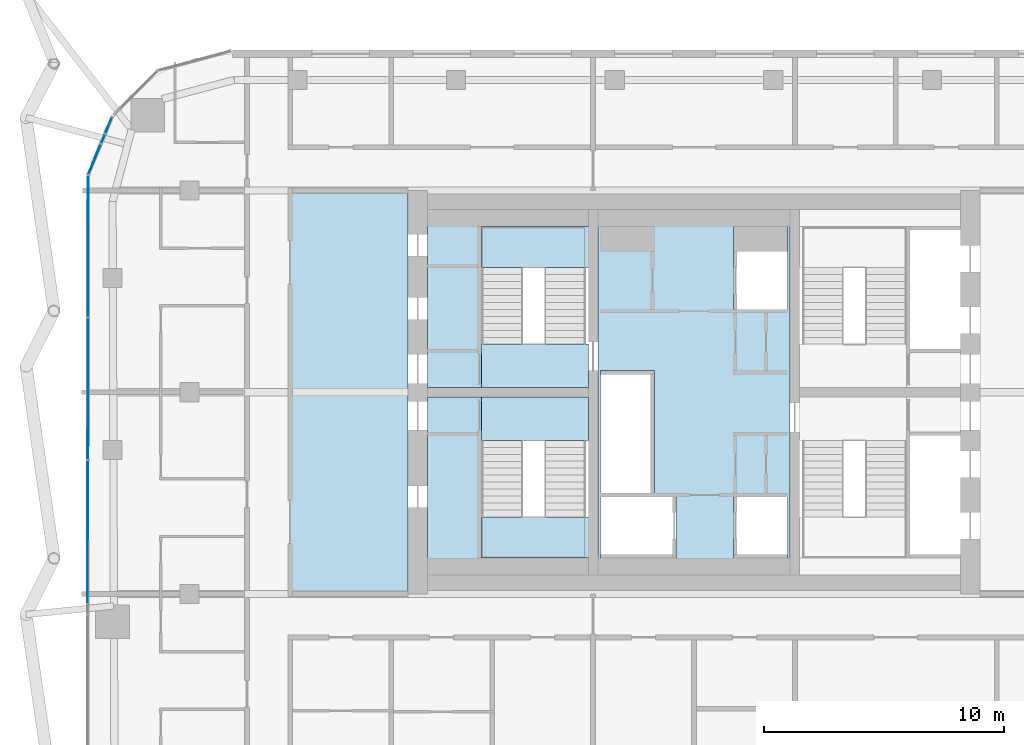
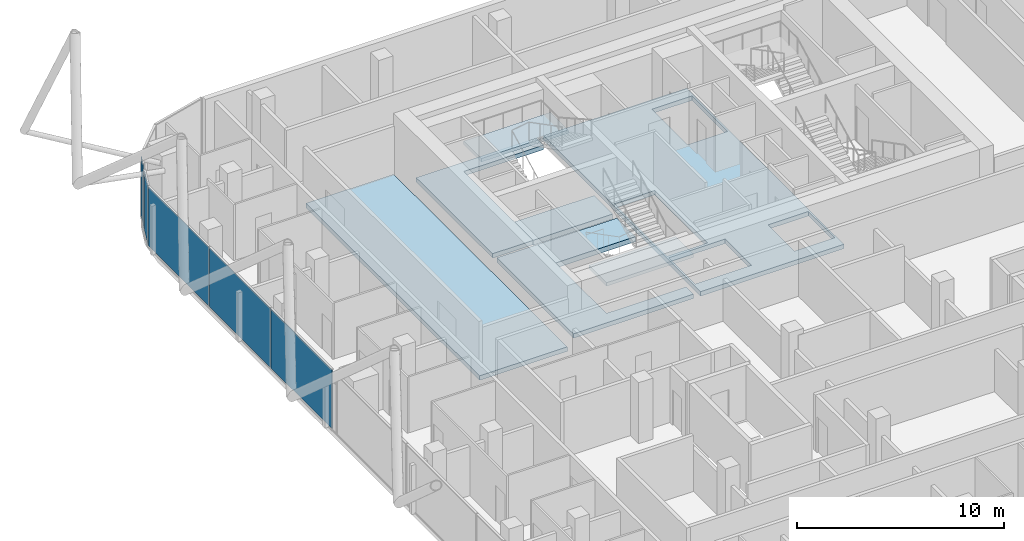
# One storey, part 21 of 33: 8 slabs, 6 plates, 6 elements without a shape of their own.
"""IFC4 building model written with IfcOpenShell, lengths in metres."""

from ifc_helpers import new_model, si_unit, direction, frame, origin, origin_2d, place, context, subcontext, project, spatial, polyline, rectangle, outline, extrude, material, layer, layer_set, type_object, element, aggregate, save


model = new_model("IFC4")

# Units and contexts
model_context = context("Model", 3, precision=1e-05, world=origin(), true_north=direction((0.0, 1.0)))
body_context = subcontext(model_context, "Body", "Model", "MODEL_VIEW")
ifc_project = project(units=[si_unit("LENGTHUNIT", "METRE"), si_unit("AREAUNIT", "SQUARE_METRE"), si_unit("VOLUMEUNIT", "CUBIC_METRE"), si_unit("PLANEANGLEUNIT", "RADIAN"), si_unit("MASSUNIT", "GRAM", prefix="KILO")], contexts=[model_context])

# Site, building, storey
site_placement = place(None, origin())
site = spatial("IfcSite", under=ifc_project, at=site_placement, CompositionType="ELEMENT")
building_placement = place(site_placement, origin())
building = spatial("IfcBuilding", under=site, at=building_placement, Name="Marenta Gate Hotel Tower", CompositionType="ELEMENT")
storey_placement = place(building_placement, frame((0.0, 0.0, 248.89990234375)))
storey = spatial("IfcBuildingStorey", under=building, at=storey_placement, Name="L59", CompositionType="ELEMENT", Elevation=248.89990234375)

# Slabs
ifc_material_1 = material(Name="Concrete C40", Category="concrete")
ifc_layer_1 = layer(ifc_material_1, 0.260009765625)
ifc_layer_set_1 = layer_set([ifc_layer_1], Name="Concrete C40")
slab_type_1 = type_object("IfcSlabType", Name="Core floor slab 260", PredefinedType="FLOOR", material=ifc_layer_set_1)
slab_1_placement = place(storey_placement, frame((0.0, 0.0, -0.260009765625)))
element("IfcSlab", 1, at=slab_1_placement, inside=storey, type_object=slab_type_1, Name="L59-CF-4", PredefinedType="FLOOR", context=body_context, shape_type="SweptSolid", body=[
    extrude(outline(polyline([(4.0, 15.300048828125), (4.0, 10.39990234375), (4.0, 6.39990234375), (4.0, 1.5), (4.0, 0.800048828125), (-4.0, 0.800048828125), (-4.0, 1.5), (-4.0, 6.39990234375), (-4.0, 10.39990234375), (-4.0, 15.300048828125), (-4.0, 16.0), (4.0, 16.0), (4.0, 15.300048828125)]), holes=[polyline([(1.64990234375, 14.25), (1.64990234375, 11.85009765625), (1.800048828125, 11.85009765625), (3.89990234375, 11.85009765625), (3.89990234375, 14.25), (3.89990234375, 15.300048828125), (1.64990234375, 15.300048828125), (1.64990234375, 14.25)]), polyline([(3.89990234375, 1.64990234375), (3.89990234375, 4.050048828125), (1.800048828125, 4.050048828125), (1.64990234375, 4.050048828125), (1.64990234375, 1.64990234375), (1.64990234375, 1.5), (3.89990234375, 1.5), (3.89990234375, 1.64990234375)]), polyline([(-3.89990234375, 1.64990234375), (-3.89990234375, 1.5), (-0.89990234375, 1.5), (-0.75, 1.5), (-0.75, 4.050048828125), (-0.89990234375, 4.050048828125), (-3.89990234375, 4.050048828125), (-3.89990234375, 1.64990234375)]), polyline([(-1.800048828125, 4.199951171875), (-1.64990234375, 4.199951171875), (-1.64990234375, 9.14990234375), (-1.64990234375, 9.300048828125), (-3.89990234375, 9.300048828125), (-3.89990234375, 9.14990234375), (-3.89990234375, 6.75), (-3.89990234375, 6.60009765625), (-3.89990234375, 4.199951171875), (-1.800048828125, 4.199951171875)])]), origin(), (0.0, 0.0, 1.0), 0.260009765625),
])
slab_2_placement = place(storey_placement, frame((0.0, 0.0, -0.260009765625)))
element("IfcSlab", 2, at=slab_2_placement, inside=storey, type_object=slab_type_1, Name="L59-CF-5", PredefinedType="FLOOR", context=body_context, shape_type="SweptSolid", body=[
    extrude(outline(polyline([(-8.85009765625, 8.199951171875), (-8.85009765625, 8.10009765625), (-8.85009765625, 6.39990234375), (-8.85009765625, 1.5), (-4.39990234375, 1.5), (-4.39990234375, 0.800048828125), (-11.10009765625, 0.800048828125), (-11.10009765625, 8.199951171875), (-8.85009765625, 8.199951171875)])), origin(), (0.0, 0.0, 1.0), 0.260009765625),
])
slab_3_placement = place(storey_placement, frame((0.0, 0.0, -0.260009765625)))
element("IfcSlab", 3, at=slab_3_placement, inside=storey, type_object=slab_type_1, Name="L59-CF-6", PredefinedType="FLOOR", context=body_context, shape_type="SweptSolid", body=[
    extrude(outline(polyline([(-4.39990234375, 15.300048828125), (-8.85009765625, 15.300048828125), (-8.85009765625, 10.39990234375), (-8.85009765625, 8.699951171875), (-8.85009765625, 8.60009765625), (-11.10009765625, 8.60009765625), (-11.10009765625, 16.0), (-4.39990234375, 16.0), (-4.39990234375, 15.300048828125)])), origin(), (0.0, 0.0, 1.0), 0.260009765625),
])
slab_4_placement = place(storey_placement, frame((0.0, 0.0, -0.260009765625)))
element("IfcSlab", 4, at=slab_4_placement, inside=storey, type_object=slab_type_1, Name="L59-CF-7", PredefinedType="FLOOR", context=body_context, shape_type="SweptSolid", body=[
    extrude(outline(polyline([(-11.89990234375, 16.800048828125), (-11.89990234375, 0.0), (-16.800048828125, 0.0), (-16.800048828125, 16.800048828125), (-11.89990234375, 16.800048828125)])), origin(), (0.0, 0.0, 1.0), 0.260009765625),
])

# Stair, slab
ifc_material_2 = material(Name="Concrete C40", Category="concrete")
stair_type = type_object("IfcStairType", Name="Core exit stair 1700 wide", PredefinedType="HALF_TURN_STAIR", material=ifc_material_2)
stair_1_placement = place(storey_placement, origin())
stair_1 = element("IfcStair", 5, at=stair_1_placement, inside=storey, type_object=stair_type, Name="Exit stair 1", PredefinedType="HALF_TURN_STAIR")
ifc_material_3 = material(Name="Concrete C40", Category="concrete")
ifc_layer_2 = layer(ifc_material_3, 0.199951171875)
ifc_layer_set_2 = layer_set([ifc_layer_2], Name="Concrete C40")
slab_type_2 = type_object("IfcSlabType", Name="Core stair landing 200", PredefinedType="LANDING", material=ifc_layer_set_2)
slab_5_placement = place(storey_placement, frame((0.0, 0.0, 1.60009765625)))
slab_5 = element("IfcSlab", 6, at=slab_5_placement, type_object=slab_type_2, Name="SL-200 ST1 landing 1", PredefinedType="LANDING", context=body_context, shape_type="SweptSolid", body=[
    extrude(outline(polyline([(-8.85009765625, 1.5), (-4.0, 1.5), (-4.0, 3.2099609375), (-8.85009765625, 3.2099609375), (-8.85009765625, 1.5)])), origin(), (0.0, 0.0, 1.0), 0.199951171875),
])
aggregate(stair_1, [slab_5])

stair_2_placement = place(storey_placement, origin())
stair_2 = element("IfcStair", 7, at=stair_2_placement, inside=storey, type_object=stair_type, Name="Exit stair 2", PredefinedType="HALF_TURN_STAIR")
slab_6_placement = place(storey_placement, frame((0.0, 0.0, 1.60009765625)))
slab_6 = element("IfcSlab", 8, at=slab_6_placement, type_object=slab_type_2, Name="SL-200 ST2 landing 1", PredefinedType="LANDING", context=body_context, shape_type="SweptSolid", body=[
    extrude(outline(polyline([(-8.85009765625, 13.590087890625), (-4.0, 13.590087890625), (-4.0, 15.300048828125), (-8.85009765625, 15.300048828125), (-8.85009765625, 13.590087890625)])), origin(), (0.0, 0.0, 1.0), 0.199951171875),
])
aggregate(stair_2, [slab_6])

# Curtain wall, plate
ifc_material_4 = material(Name="Tinted insulated glass in bronze anodised frame", Category="glass")
ifc_layer_3 = layer(ifc_material_4, 0.1201171875)
ifc_layer_set_3 = layer_set([ifc_layer_3], Name="Tinted insulated glass in bronze anodised frame")
curtain_wall_type = type_object("IfcCurtainWallType", Name="Tower unitised curtain wall CW1", PredefinedType="NOTDEFINED", material=ifc_layer_set_3)
curtain_wall_1_placement = place(storey_placement, origin())
curtain_wall_1 = element("IfcCurtainWall", 9, at=curtain_wall_1_placement, inside=storey, type_object=curtain_wall_type, Name="CW1 run G03", PredefinedType="NOTDEFINED")
ifc_material_5 = material(Name="Tinted insulated glass", Category="glass")
ifc_layer_4 = layer(ifc_material_5, 0.028076171875)
ifc_layer_set_4 = layer_set([ifc_layer_4], Name="Tinted insulated glass")
plate_type = type_object("IfcPlateType", Name="Glass panel CW1 28 mm tinted insulated unit", PredefinedType="CURTAIN_PANEL", material=ifc_layer_set_4)
plate_1_placement = place(storey_placement, frame((-24.3623046875, 19.5185546875, 0.06005859375), z_axis=(0.0, 0.0, 1.0), x_axis=(-0.382711777204, -0.923867791185, 0.0)))
plate_1 = element("IfcPlate", 10, at=plate_1_placement, type_object=plate_type, Name="CW1 panel 1.1", PredefinedType="CURTAIN_PANEL", context=body_context, shape_type="SweptSolid", body=[
    extrude(rectangle(XDim=0.708740234375, YDim=0.028076171875, at=origin_2d()), origin(), (0.0, 0.0, 1.0), 3.47998046875),
])
aggregate(curtain_wall_1, [plate_1])

curtain_wall_2_placement = place(storey_placement, origin())
curtain_wall_2 = element("IfcCurtainWall", 11, at=curtain_wall_2_placement, inside=storey, type_object=curtain_wall_type, Name="CW1 run G04", PredefinedType="NOTDEFINED")
plate_2_placement = place(storey_placement, frame((-24.5966796875, 18.9521484375, 0.06005859375), z_axis=(0.0, 0.0, 1.0), x_axis=(-0.382641626167, -0.923896848097, 0.0)))
plate_2 = element("IfcPlate", 12, at=plate_2_placement, type_object=plate_type, Name="CW1 panel 1.1", PredefinedType="CURTAIN_PANEL", context=body_context, shape_type="SweptSolid", body=[
    extrude(rectangle(XDim=0.397216796875, YDim=0.028076171875, at=origin_2d()), origin(), (0.0, 0.0, 1.0), 2.880615234375),
])
aggregate(curtain_wall_2, [plate_2])

curtain_wall_3_placement = place(storey_placement, origin())
curtain_wall_3 = element("IfcCurtainWall", 13, at=curtain_wall_3_placement, inside=storey, type_object=curtain_wall_type, Name="CW1 run G05", PredefinedType="NOTDEFINED")
plate_3_placement = place(storey_placement, frame((-24.9541015625, 18.08984375, 0.06005859375), z_axis=(0.0, 0.0, 1.0), x_axis=(-0.382650385627, -0.923893220226, 0.0)))
plate_3 = element("IfcPlate", 14, at=plate_3_placement, type_object=plate_type, Name="CW1 panel 1.1", PredefinedType="CURTAIN_PANEL", context=body_context, shape_type="SweptSolid", body=[
    extrude(rectangle(XDim=1.349853515625, YDim=0.028076171875, at=origin_2d()), origin(), (0.0, 0.0, 1.0), 3.47998046875),
])
aggregate(curtain_wall_3, [plate_3])

# Curtain wall, plates
curtain_wall_4_placement = place(storey_placement, origin())
curtain_wall_4 = element("IfcCurtainWall", 15, at=curtain_wall_4_placement, inside=storey, type_object=curtain_wall_type, Name="CW1 run G06", PredefinedType="NOTDEFINED")
plate_4_placement = place(storey_placement, frame((-25.217041015625, 14.478515625, 0.06005859375), z_axis=(0.0, 0.0, 1.0), x_axis=(-0.001569803969, -0.999998767857, 0.0)))
plate_4 = element("IfcPlate", 16, at=plate_4_placement, type_object=plate_type, Name="CW1 panel 1.1", PredefinedType="CURTAIN_PANEL", context=body_context, shape_type="SweptSolid", body=[
    extrude(rectangle(XDim=5.85546875, YDim=0.028076171875, at=origin_2d()), origin(), (0.0, 0.0, 1.0), 3.47998046875),
])
plate_5_placement = place(storey_placement, frame((-25.226318359375, 8.5478515625, 0.06005859375), z_axis=(0.0, 0.0, 1.0), x_axis=(-0.001569803969, -0.999998767857, 0.0)))
plate_5 = element("IfcPlate", 17, at=plate_5_placement, type_object=plate_type, Name="CW1 panel 2.1", PredefinedType="CURTAIN_PANEL", context=body_context, shape_type="SweptSolid", body=[
    extrude(rectangle(XDim=5.885498046875, YDim=0.028076171875, at=origin_2d()), origin(), (0.0, 0.0, 1.0), 3.47998046875),
])
plate_6_placement = place(storey_placement, frame((-25.235595703125, 2.58740234375, 0.06005859375), z_axis=(0.0, 0.0, 1.0), x_axis=(-0.001569803969, -0.999998767857, 0.0)))
plate_6 = element("IfcPlate", 18, at=plate_6_placement, type_object=plate_type, Name="CW1 panel 3.1", PredefinedType="CURTAIN_PANEL", context=body_context, shape_type="SweptSolid", body=[
    extrude(rectangle(XDim=5.91552734375, YDim=0.028076171875, at=origin_2d()), origin(), (0.0, 0.0, 1.0), 3.47998046875),
])
aggregate(curtain_wall_4, [plate_4, plate_5, plate_6])

# Slabs
ifc_material_6 = material(Name="Concrete C40", Category="concrete")
ifc_layer_5 = layer(ifc_material_6, 0.300048828125)
ifc_layer_set_5 = layer_set([ifc_layer_5], Name="Concrete C40")
slab_type_3 = type_object("IfcSlabType", Name="Stair floor landing slab 300", PredefinedType="FLOOR", material=ifc_layer_set_5)
slab_7_placement = place(storey_placement, frame((0.0, 0.0, -0.2998046875)))
element("IfcSlab", 19, at=slab_7_placement, inside=storey, type_object=slab_type_3, Name="L59-CL-ST1-1", PredefinedType="FLOOR", context=body_context, shape_type="SweptSolid", body=[
    extrude(outline(polyline([(-4.39990234375, 6.39990234375), (-8.85009765625, 6.39990234375), (-8.85009765625, 8.10009765625), (-8.85009765625, 8.199951171875), (-4.39990234375, 8.199951171875), (-4.39990234375, 6.39990234375)])), origin(), (0.0, 0.0, 1.0), 0.2998046875),
])
slab_8_placement = place(storey_placement, frame((0.0, 0.0, -0.2998046875)))
element("IfcSlab", 20, at=slab_8_placement, inside=storey, type_object=slab_type_3, Name="L59-CL-ST2-1", PredefinedType="FLOOR", context=body_context, shape_type="SweptSolid", body=[
    extrude(outline(polyline([(-4.39990234375, 8.60009765625), (-8.85009765625, 8.60009765625), (-8.85009765625, 8.699951171875), (-8.85009765625, 10.39990234375), (-4.39990234375, 10.39990234375), (-4.39990234375, 8.60009765625)])), origin(), (0.0, 0.0, 1.0), 0.2998046875),
])

save(model, "model.ifc")
